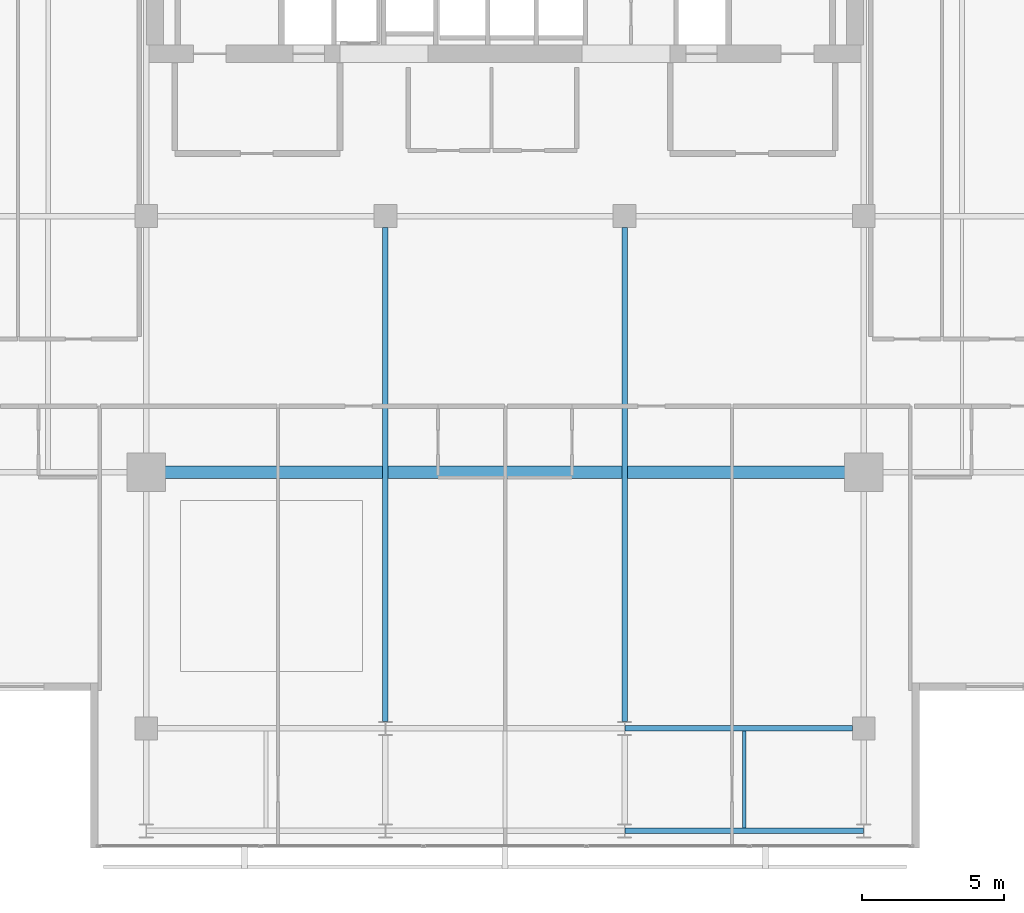
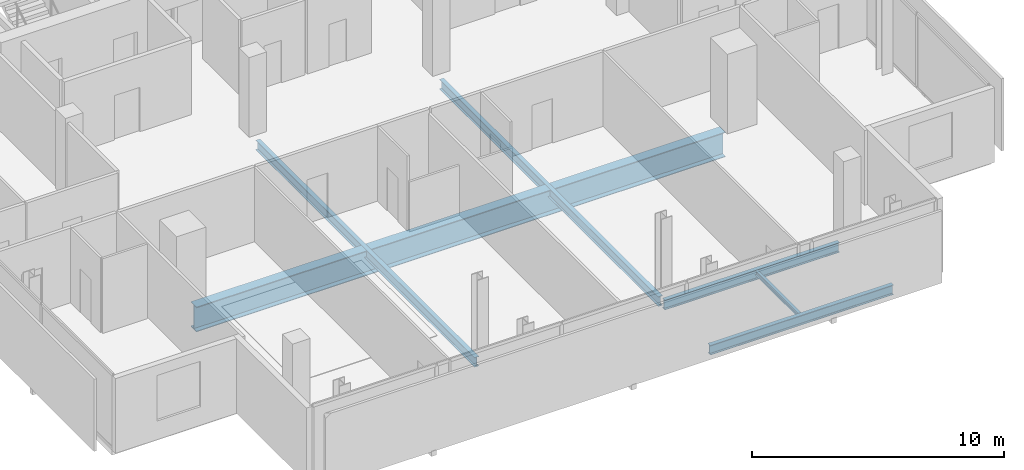
# One storey, part 6 of 23: 6 beams.
"""IFC4 building model written with IfcOpenShell, lengths in metres."""

from ifc_helpers import new_model, si_unit, direction, frame, origin, origin_2d, place, context, subcontext, project, spatial, i_section, extrude, material, material_profile, profile_set, type_object, element, save


model = new_model("IFC4")

# Units and contexts
model_context = context("Model", 3, precision=1e-05, world=origin(), true_north=direction((0.0, 1.0)))
body_context = subcontext(model_context, "Body", "Model", "MODEL_VIEW")
ifc_project = project(units=[si_unit("LENGTHUNIT", "METRE"), si_unit("AREAUNIT", "SQUARE_METRE"), si_unit("VOLUMEUNIT", "CUBIC_METRE"), si_unit("PLANEANGLEUNIT", "RADIAN"), si_unit("MASSUNIT", "GRAM", prefix="KILO")], contexts=[model_context])

# Site, building, storey
site_placement = place(None, origin())
site = spatial("IfcSite", under=ifc_project, at=site_placement, CompositionType="ELEMENT")
building_placement = place(site_placement, origin())
building = spatial("IfcBuilding", under=site, at=building_placement, Name="Maruvema Waterfront Hotel and Observation Tower", CompositionType="ELEMENT")
storey_placement = place(building_placement, frame((0.0, 0.0, 337.39990234375)))
storey = spatial("IfcBuildingStorey", under=building, at=storey_placement, Name="L83", CompositionType="ELEMENT", Elevation=337.39990234375)

# Beams
ifc_material_1 = material(Name="Steel ASTM A572 Grade 50", Category="steel")
ifc_material_profile_1 = material_profile(ifc_material_1, i_section(OverallWidth=0.194091796875, OverallDepth=0.468994140625, WebThickness=0.0126953125, FlangeThickness=0.0205078125, FilletRadius=0.014892578125, at=origin_2d()), Name="W460x106.0")
ifc_profile_set_1 = profile_set([ifc_material_profile_1], Name="Steel ASTM A572 Grade 50")
beam_type_1 = type_object("IfcBeamType", Name="Primary Floor Girder W460x106.0", PredefinedType="BEAM", material=ifc_profile_set_1)
beam_1_placement = place(storey_placement, frame((42.010986328125, 14.39990234375, -0.474365234375), z_axis=(1.0, 0.0, 0.0), x_axis=(0.0, 1.0, 0.0)))
element("IfcBeam", 1, at=beam_1_placement, inside=storey, type_object=beam_type_1, Name="L83 Floor Girder EW-03", PredefinedType="BEAM", context=body_context, shape_type="SweptSolid", body=[
    extrude(i_section(OverallWidth=0.194091796875, OverallDepth=0.468994140625, WebThickness=0.0126953125, FlangeThickness=0.0205078125, FilletRadius=0.014892578125, at=origin_2d()), origin(), (0.0, 0.0, 1.0), 8.3779296875),
])
beam_2_placement = place(storey_placement, frame((42.010986328125, 18.0, -0.474365234375), z_axis=(1.0, 0.0, 0.0), x_axis=(0.0, 1.0, 0.0)))
element("IfcBeam", 2, at=beam_2_placement, inside=storey, type_object=beam_type_1, Name="L83 Floor Girder EW-06", PredefinedType="BEAM", context=body_context, shape_type="SweptSolid", body=[
    extrude(i_section(OverallWidth=0.194091796875, OverallDepth=0.468994140625, WebThickness=0.0126953125, FlangeThickness=0.0205078125, FilletRadius=0.014892578125, at=origin_2d()), origin(), (0.0, 0.0, 1.0), 7.989013671875),
])
for number, where, z_axis, x_axis, name in (
    (3, (33.60009765625, 18.25, -0.474365234375), (0.0, 1.0, 0.0), (-1.0, 0.0, 0.0), "L83 Floor Girder NS-08"),
    (4, (42.0, 18.25, -0.474365234375), (0.0, 1.0, 0.0), (-1.0, 0.0, 0.0), "L83 Floor Girder NS-10"),
):
    element("IfcBeam", number, at=place(storey_placement, frame(where, z_axis=z_axis, x_axis=x_axis)), inside=storey, type_object=beam_type_1, Name=name, PredefinedType="BEAM", context=body_context, shape_type="SweptSolid", body=[
        extrude(i_section(OverallWidth=0.194091796875, OverallDepth=0.468994140625, WebThickness=0.0126953125, FlangeThickness=0.0205078125, FilletRadius=0.014892578125, at=origin_2d()), origin(), (0.0, 0.0, 1.0), 17.35009765625),
    ])
ifc_material_2 = material(Name="Steel ASTM A572 Grade 50", Category="steel")
ifc_material_profile_2 = material_profile(ifc_material_2, i_section(OverallWidth=0.133056640625, OverallDepth=0.20703125, WebThickness=0.005859375, FlangeThickness=0.00830078125, FilletRadius=0.010009765625, at=origin_2d()), Name="W200x26.6")
ifc_profile_set_2 = profile_set([ifc_material_profile_2], Name="Steel ASTM A572 Grade 50")
beam_type_2 = type_object("IfcBeamType", Name="Secondary Floor Joist W200x26.6", PredefinedType="JOIST", material=ifc_profile_set_2)
beam_3_placement = place(storey_placement, frame((46.199951171875, 14.4970703125, -0.343505859375), z_axis=(0.0, 1.0, 0.0), x_axis=(-1.0, 0.0, 0.0)))
element("IfcBeam", 5, at=beam_3_placement, inside=storey, type_object=beam_type_2, Name="L83 Secondary Floor Joist JS-05", PredefinedType="JOIST", context=body_context, shape_type="SweptSolid", body=[
    extrude(i_section(OverallWidth=0.133056640625, OverallDepth=0.20703125, WebThickness=0.005859375, FlangeThickness=0.00830078125, FilletRadius=0.010009765625, at=origin_2d()), origin(), (0.0, 0.0, 1.0), 3.406005859375),
])
ifc_material_3 = material(Name="Steel ABNT NBR 7007 AR 415 (ASTM A572 Grade 50)", Category="steel")
ifc_material_profile_3 = material_profile(ifc_material_3, i_section(OverallWidth=0.449951171875, OverallDepth=1.199951171875, WebThickness=0.01904296875, FlangeThickness=0.031982421875, at=origin_2d()), Name="VS1200x366")
ifc_profile_set_3 = profile_set([ifc_material_profile_3], Name="Steel ABNT NBR 7007 AR 415 (ASTM A572 Grade 50)")
beam_type_3 = type_object("IfcBeamType", Name="Upper Setback Transfer Girder VS1200x366", PredefinedType="USERDEFINED", material=ifc_profile_set_3)
beam_4_placement = place(storey_placement, frame((25.699951171875, 27.0, -0.83984375), z_axis=(1.0, 0.0, 0.0), x_axis=(0.0, 1.0, 0.0)))
element("IfcBeam", 6, at=beam_4_placement, inside=storey, type_object=beam_type_3, Name="L83 Floor Girder EW-08", ObjectType="TRANSFER GIRDER", PredefinedType="USERDEFINED", context=body_context, shape_type="SweptSolid", body=[
    extrude(i_section(OverallWidth=0.449951171875, OverallDepth=1.199951171875, WebThickness=0.01904296875, FlangeThickness=0.031982421875, at=origin_2d()), origin(), (0.0, 0.0, 1.0), 24.199951171875),
])

save(model, "model.ifc")
